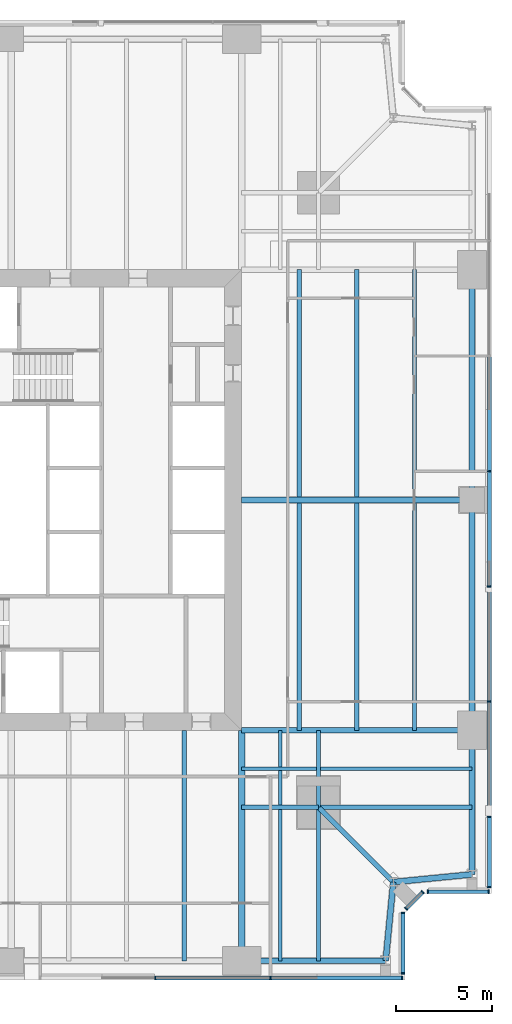
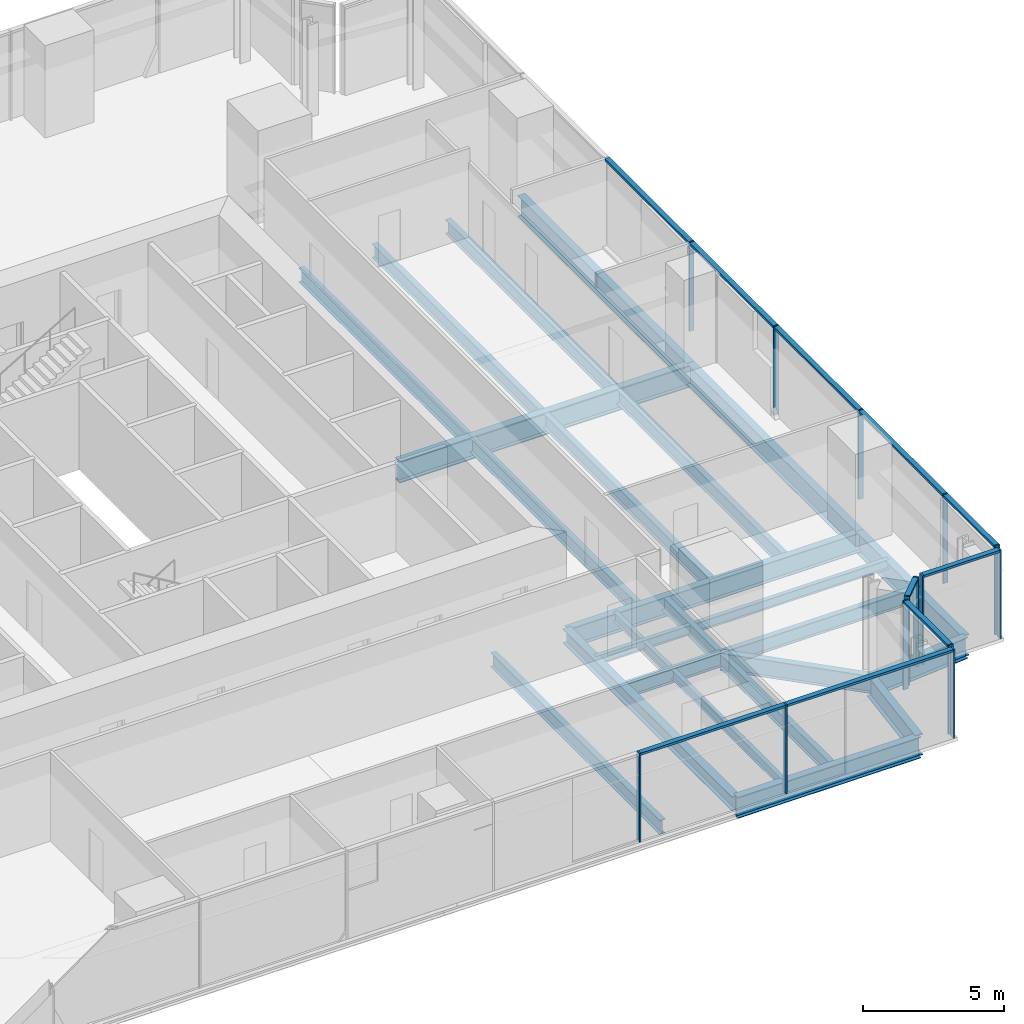
# One storey, part 5 of 13: 26 beams, 24 members, 5 elements without a shape of their own.
"""IFC4 building model written with IfcOpenShell, lengths in metres."""

from ifc_helpers import new_model, si_unit, direction, frame, origin, origin_2d, place, context, subcontext, project, spatial, rectangle, i_section, extrude, material, material_profile, profile_set, type_object, element, aggregate, save


model = new_model("IFC4")

# Units and contexts
model_context = context("Model", 3, precision=1e-05, world=origin(), true_north=direction((0.0, 1.0)))
body_context = subcontext(model_context, "Body", "Model", "MODEL_VIEW")
ifc_project = project(units=[si_unit("LENGTHUNIT", "METRE"), si_unit("AREAUNIT", "SQUARE_METRE"), si_unit("VOLUMEUNIT", "CUBIC_METRE"), si_unit("PLANEANGLEUNIT", "RADIAN"), si_unit("MASSUNIT", "GRAM", prefix="KILO")], contexts=[model_context])

# Site, building, storey
site_placement = place(None, origin())
site = spatial("IfcSite", under=ifc_project, at=site_placement, CompositionType="ELEMENT")
building_placement = place(site_placement, origin())
building = spatial("IfcBuilding", under=site, at=building_placement, Name="Fenwick Lantern Interchange", CompositionType="ELEMENT")
storey_placement = place(building_placement, frame((0.0, 0.0, 142.39990234375)))
storey = spatial("IfcBuildingStorey", under=building, at=storey_placement, Name="L33", CompositionType="ELEMENT", Elevation=142.39990234375)

# Beams
ifc_material_1 = material(Name="Steel ASTM A992 Grade 50", Category="steel")
ifc_material_profile_1 = material_profile(ifc_material_1, i_section(OverallWidth=0.3046875, OverallDepth=0.911865234375, WebThickness=0.015869140625, FlangeThickness=0.02392578125, at=origin_2d()), Name="W36X150")
ifc_profile_set_1 = profile_set([ifc_material_profile_1], Name="Steel ASTM A992 Grade 50")
beam_type_1 = type_object("IfcBeamType", Name="EDGE BEAM W36X150", PredefinedType="SPANDREL", material=ifc_profile_set_1)
beam_1_placement = place(storey_placement, frame((37.0, 1.0, -0.605712890625), z_axis=(1.0, 0.0, 0.0), x_axis=(0.0, 1.0, 0.0)))
element("IfcBeam", 1, at=beam_1_placement, inside=storey, type_object=beam_type_1, Name="L33/FR/S/EB4", PredefinedType="SPANDREL", context=body_context, shape_type="SweptSolid", body=[
    extrude(i_section(OverallWidth=0.3046875, OverallDepth=0.911865234375, WebThickness=0.015869140625, FlangeThickness=0.02392578125, at=origin_2d()), origin(), (0.0, 0.0, 1.0), 7.5),
])
for number, where, z_axis, x_axis, name in (
    (2, (44.5, 1.0, -0.605712890625), (0.097074191287, 0.995277148028, 0.0), (-0.995277148028, 0.097074191287, 0.0), "L33/FR/S/EBR1"),
    (3, (44.89990234375, 5.10009765625, -0.605712890625), (0.995277148028, 0.097074191287, 0.0), (-0.097074191287, 0.995277148028, 0.0), "L33/FR/S/EBR2"),
):
    element("IfcBeam", number, at=place(storey_placement, frame(where, z_axis=z_axis, x_axis=x_axis)), inside=storey, type_object=beam_type_1, Name=name, PredefinedType="SPANDREL", context=body_context, shape_type="SweptSolid", body=[
        extrude(i_section(OverallWidth=0.3046875, OverallDepth=0.911865234375, WebThickness=0.015869140625, FlangeThickness=0.02392578125, at=origin_2d()), origin(), (0.0, 0.0, 1.0), 4.11962890625),
    ])
beam_2_placement = place(storey_placement, frame((49.0, 5.5, -0.605712890625), z_axis=(0.0, 1.0, 0.0), x_axis=(-1.0, 0.0, 0.0)))
element("IfcBeam", 4, at=beam_2_placement, inside=storey, type_object=beam_type_1, Name="L33/FR/E/EB1", PredefinedType="SPANDREL", context=body_context, shape_type="SweptSolid", body=[
    extrude(i_section(OverallWidth=0.3046875, OverallDepth=0.911865234375, WebThickness=0.015869140625, FlangeThickness=0.02392578125, at=origin_2d()), origin(), (0.0, 0.0, 1.0), 7.5),
])
for number, where, z_axis, x_axis, name in (
    (5, (49.0, 13.0, -0.605712890625), (0.0, 1.0, 0.0), (-1.0, 0.0, 0.0), "L33/FR/E/EB2"),
    (6, (49.0, 25.0, -0.605712890625), (0.0, 1.0, 0.0), (-1.0, 0.0, 0.0), "L33/FR/E/EB3"),
):
    element("IfcBeam", number, at=place(storey_placement, frame(where, z_axis=z_axis, x_axis=x_axis)), inside=storey, type_object=beam_type_1, Name=name, PredefinedType="SPANDREL", context=body_context, shape_type="SweptSolid", body=[
        extrude(i_section(OverallWidth=0.3046875, OverallDepth=0.911865234375, WebThickness=0.015869140625, FlangeThickness=0.02392578125, at=origin_2d()), origin(), (0.0, 0.0, 1.0), 12.0),
    ])
ifc_material_profile_2 = material_profile(ifc_material_1, i_section(OverallWidth=0.22900390625, OverallDepth=0.612060546875, WebThickness=0.011962890625, FlangeThickness=0.01953125, at=origin_2d()), Name="W24X84")
ifc_profile_set_2 = profile_set([ifc_material_profile_2], Name="Steel ASTM A992 Grade 50")
beam_type_2 = type_object("IfcBeamType", Name="FLOOR BEAM W24X84", PredefinedType="BEAM", material=ifc_profile_set_2)
beam_3_placement = place(storey_placement, frame((34.0, 1.0, -0.4560546875), z_axis=(0.0, 1.0, 0.0), x_axis=(-1.0, 0.0, 0.0)))
element("IfcBeam", 7, at=beam_3_placement, inside=storey, type_object=beam_type_2, Name="L33/FR/S/R08", PredefinedType="BEAM", context=body_context, shape_type="SweptSolid", body=[
    extrude(i_section(OverallWidth=0.22900390625, OverallDepth=0.612060546875, WebThickness=0.011962890625, FlangeThickness=0.01953125, at=origin_2d()), origin(), (0.0, 0.0, 1.0), 12.0),
])
for number, where, z_axis, x_axis, name in (
    (8, (46.0, 13.0, -0.4560546875), (0.0, 1.0, 0.0), (-1.0, 0.0, 0.0), "L33/FR/E/B01"),
    (9, (43.0, 13.0, -0.4560546875), (0.0, 1.0, 0.0), (-1.0, 0.0, 0.0), "L33/FR/E/B02"),
    (10, (40.0, 13.0, -0.4560546875), (0.0, 1.0, 0.0), (-1.0, 0.0, 0.0), "L33/FR/E/B03"),
    (11, (46.0, 25.155029296875, -0.4560546875), (0.0, 1.0, 0.0), (-1.0, 0.0, 0.0), "L33/FR/E/B04"),
    (12, (43.0, 25.155029296875, -0.4560546875), (0.0, 1.0, 0.0), (-1.0, 0.0, 0.0), "L33/FR/E/B05"),
    (13, (40.0, 25.155029296875, -0.4560546875), (0.0, 1.0, 0.0), (-1.0, 0.0, 0.0), "L33/FR/E/B06"),
):
    element("IfcBeam", number, at=place(storey_placement, frame(where, z_axis=z_axis, x_axis=x_axis)), inside=storey, type_object=beam_type_2, Name=name, PredefinedType="BEAM", context=body_context, shape_type="SweptSolid", body=[
        extrude(i_section(OverallWidth=0.22900390625, OverallDepth=0.612060546875, WebThickness=0.011962890625, FlangeThickness=0.01953125, at=origin_2d()), origin(), (0.0, 0.0, 1.0), 11.844970703125),
    ])
ifc_material_profile_3 = material_profile(ifc_material_1, i_section(OverallWidth=0.177734375, OverallDepth=0.406494140625, WebThickness=0.0078125, FlangeThickness=0.012939453125, at=origin_2d()), Name="W16X40")
ifc_profile_set_3 = profile_set([ifc_material_profile_3], Name="Steel ASTM A992 Grade 50")
beam_type_3 = type_object("IfcBeamType", Name="INFILL BEAM W16X40", PredefinedType="JOIST", material=ifc_profile_set_3)
beam_4_placement = place(storey_placement, frame((49.0, 11.0, -0.35302734375), z_axis=(-1.0, 0.0, 0.0), x_axis=(0.0, -1.0, 0.0)))
element("IfcBeam", 14, at=beam_4_placement, inside=storey, type_object=beam_type_3, Name="L33/FR/E/J1", PredefinedType="JOIST", context=body_context, shape_type="SweptSolid", body=[
    extrude(i_section(OverallWidth=0.177734375, OverallDepth=0.406494140625, WebThickness=0.0078125, FlangeThickness=0.012939453125, at=origin_2d()), origin(), (0.0, 0.0, 1.0), 7.885498046875),
])
beam_5_placement = place(storey_placement, frame((40.885498046875, 11.0, -0.35302734375), z_axis=(-1.0, 0.0, 0.0), x_axis=(0.0, -1.0, 0.0)))
element("IfcBeam", 15, at=beam_5_placement, inside=storey, type_object=beam_type_3, Name="L33/FR/E/J2", PredefinedType="JOIST", context=body_context, shape_type="SweptSolid", body=[
    extrude(i_section(OverallWidth=0.177734375, OverallDepth=0.406494140625, WebThickness=0.0078125, FlangeThickness=0.012939453125, at=origin_2d()), origin(), (0.0, 0.0, 1.0), 3.885498046875),
])
beam_6_placement = place(storey_placement, frame((39.0, 1.0, -0.35302734375), z_axis=(0.0, 1.0, 0.0), x_axis=(-1.0, 0.0, 0.0)))
element("IfcBeam", 16, at=beam_6_placement, inside=storey, type_object=beam_type_3, Name="L33/FR/E/J3", PredefinedType="JOIST", context=body_context, shape_type="SweptSolid", body=[
    extrude(i_section(OverallWidth=0.177734375, OverallDepth=0.406494140625, WebThickness=0.0078125, FlangeThickness=0.012939453125, at=origin_2d()), origin(), (0.0, 0.0, 1.0), 7.885498046875),
])
beam_7_placement = place(storey_placement, frame((39.0, 9.114501953125, -0.35302734375), z_axis=(0.0, 1.0, 0.0), x_axis=(-1.0, 0.0, 0.0)))
element("IfcBeam", 17, at=beam_7_placement, inside=storey, type_object=beam_type_3, Name="L33/FR/E/J4", PredefinedType="JOIST", context=body_context, shape_type="SweptSolid", body=[
    extrude(i_section(OverallWidth=0.177734375, OverallDepth=0.406494140625, WebThickness=0.0078125, FlangeThickness=0.012939453125, at=origin_2d()), origin(), (0.0, 0.0, 1.0), 1.796630859375),
])
beam_8_placement = place(storey_placement, frame((39.0, 11.0888671875, -0.35302734375), z_axis=(0.0, 1.0, 0.0), x_axis=(-1.0, 0.0, 0.0)))
element("IfcBeam", 18, at=beam_8_placement, inside=storey, type_object=beam_type_3, Name="L33/FR/E/J5", PredefinedType="JOIST", context=body_context, shape_type="SweptSolid", body=[
    extrude(i_section(OverallWidth=0.177734375, OverallDepth=0.406494140625, WebThickness=0.0078125, FlangeThickness=0.012939453125, at=origin_2d()), origin(), (0.0, 0.0, 1.0), 1.9111328125),
])
ifc_material_profile_4 = material_profile(ifc_material_1, i_section(OverallWidth=0.22900390625, OverallDepth=0.612060546875, WebThickness=0.011962890625, FlangeThickness=0.01953125, at=origin_2d()), Name="W24X84")
ifc_profile_set_4 = profile_set([ifc_material_profile_4], Name="Steel ASTM A992 Grade 50")
beam_type_4 = type_object("IfcBeamType", Name="MEGA COLUMN BEAM W24X84", PredefinedType="BEAM", material=ifc_profile_set_4)
for number, where, z_axis, x_axis, name in (
    (19, (41.0, 9.0, -0.4560546875), (1.0, 0.0, 0.0), (0.0, 1.0, 0.0), "L33/FR/E/MB1"),
    (20, (41.0, 9.0, -0.4560546875), (0.0, -1.0, 0.0), (1.0, 0.0, 0.0), "L33/FR/E/MB2"),
):
    element("IfcBeam", number, at=place(storey_placement, frame(where, z_axis=z_axis, x_axis=x_axis)), inside=storey, type_object=beam_type_4, Name=name, PredefinedType="BEAM", context=body_context, shape_type="SweptSolid", body=[
        extrude(i_section(OverallWidth=0.22900390625, OverallDepth=0.612060546875, WebThickness=0.011962890625, FlangeThickness=0.01953125, at=origin_2d()), origin(), (0.0, 0.0, 1.0), 8.0),
    ])
for number, where, z_axis, x_axis, name in (
    (21, (41.0, 9.0, -0.4560546875), (0.0, 1.0, 0.0), (-1.0, 0.0, 0.0), "L33/FR/E/MB3"),
    (22, (41.0, 9.0, -0.4560546875), (-1.0, 0.0, 0.0), (0.0, -1.0, 0.0), "L33/FR/E/MB4"),
):
    element("IfcBeam", number, at=place(storey_placement, frame(where, z_axis=z_axis, x_axis=x_axis)), inside=storey, type_object=beam_type_4, Name=name, PredefinedType="BEAM", context=body_context, shape_type="SweptSolid", body=[
        extrude(i_section(OverallWidth=0.22900390625, OverallDepth=0.612060546875, WebThickness=0.011962890625, FlangeThickness=0.01953125, at=origin_2d()), origin(), (0.0, 0.0, 1.0), 4.0),
    ])
ifc_material_profile_5 = material_profile(ifc_material_1, i_section(OverallWidth=0.32763671875, OverallDepth=0.622314453125, WebThickness=0.015380859375, FlangeThickness=0.0244140625, at=origin_2d()), Name="W24X131")
ifc_profile_set_5 = profile_set([ifc_material_profile_5], Name="Steel ASTM A992 Grade 50")
beam_type_5 = type_object("IfcBeamType", Name="MOMENT-CONNECTED GIRDER W24X131", PredefinedType="BEAM", material=ifc_profile_set_5)
beam_9_placement = place(storey_placement, frame((37.0, 1.0, -0.4609375), z_axis=(0.0, 1.0, 0.0), x_axis=(-1.0, 0.0, 0.0)))
element("IfcBeam", 23, at=beam_9_placement, inside=storey, type_object=beam_type_5, Name="L33/FR/S/R09", PredefinedType="BEAM", context=body_context, shape_type="SweptSolid", body=[
    extrude(i_section(OverallWidth=0.32763671875, OverallDepth=0.622314453125, WebThickness=0.015380859375, FlangeThickness=0.0244140625, at=origin_2d()), origin(), (0.0, 0.0, 1.0), 12.0),
])
ifc_material_profile_6 = material_profile(ifc_material_1, i_section(OverallWidth=0.2919921875, OverallDepth=0.845703125, WebThickness=0.015380859375, FlangeThickness=0.0244140625, at=origin_2d()), Name="W33X141")
ifc_profile_set_6 = profile_set([ifc_material_profile_6], Name="Steel ASTM A992 Grade 50")
beam_type_6 = type_object("IfcBeamType", Name="MOMENT-CONNECTED GIRDER W33X141", PredefinedType="BEAM", material=ifc_profile_set_6)
beam_10_placement = place(storey_placement, frame((49.0, 13.0, -0.57275390625), z_axis=(-1.0, 0.0, 0.0), x_axis=(0.0, -1.0, 0.0)))
element("IfcBeam", 24, at=beam_10_placement, inside=storey, type_object=beam_type_6, Name="L33/FR/E/R01", PredefinedType="BEAM", context=body_context, shape_type="SweptSolid", body=[
    extrude(i_section(OverallWidth=0.2919921875, OverallDepth=0.845703125, WebThickness=0.015380859375, FlangeThickness=0.0244140625, at=origin_2d()), origin(), (0.0, 0.0, 1.0), 12.0),
])
ifc_material_profile_7 = material_profile(ifc_material_1, i_section(OverallWidth=0.309814453125, OverallDepth=0.949951171875, WebThickness=0.0244140625, FlangeThickness=0.0439453125, at=origin_2d()), Name="W36X256")
ifc_profile_set_7 = profile_set([ifc_material_profile_7], Name="Steel ASTM A992 Grade 50")
beam_type_7 = type_object("IfcBeamType", Name="MOMENT-CONNECTED GIRDER W36X256", PredefinedType="BEAM", material=ifc_profile_set_7)
beam_11_placement = place(storey_placement, frame((49.0, 25.0, -0.625), z_axis=(-1.0, 0.0, 0.0), x_axis=(0.0, -1.0, 0.0)))
element("IfcBeam", 25, at=beam_11_placement, inside=storey, type_object=beam_type_7, Name="L33/FR/E/R02", PredefinedType="BEAM", context=body_context, shape_type="SweptSolid", body=[
    extrude(i_section(OverallWidth=0.309814453125, OverallDepth=0.949951171875, WebThickness=0.0244140625, FlangeThickness=0.0439453125, at=origin_2d()), origin(), (0.0, 0.0, 1.0), 12.0),
])
ifc_material_profile_8 = material_profile(ifc_material_1, i_section(OverallWidth=0.2666015625, OverallDepth=0.7568359375, WebThickness=0.013916015625, FlangeThickness=0.019287109375, at=origin_2d()), Name="W30X108")
ifc_profile_set_8 = profile_set([ifc_material_profile_8], Name="Steel ASTM A992 Grade 50")
beam_type_8 = type_object("IfcBeamType", Name="NOTCH BEAM W30X108", PredefinedType="BEAM", material=ifc_profile_set_8)
beam_12_placement = place(storey_placement, frame((41.0, 9.0, -0.5283203125), z_axis=(0.707106781187, -0.707106781187, 0.0), x_axis=(0.707106781187, 0.707106781187, 0.0)))
element("IfcBeam", 26, at=beam_12_placement, inside=storey, type_object=beam_type_8, Name="L33/FR/E/TG", PredefinedType="BEAM", context=body_context, shape_type="SweptSolid", body=[
    extrude(i_section(OverallWidth=0.2666015625, OverallDepth=0.7568359375, WebThickness=0.013916015625, FlangeThickness=0.019287109375, at=origin_2d()), origin(), (0.0, 0.0, 1.0), 5.515380859375),
])

# Curtain wall, members
ifc_material_2 = material(Name="Aluminium curtain wall frame", Category="aluminium")
curtain_wall_type = type_object("IfcCurtainWallType", Name="OFFICE CURTAIN WALL", PredefinedType="USERDEFINED", material=ifc_material_2)
curtain_wall_1_placement = place(storey_placement, origin())
curtain_wall_1 = element("IfcCurtainWall", 27, at=curtain_wall_1_placement, inside=storey, type_object=curtain_wall_type, Name="Office curtain wall 01", ObjectType="OFFICE CURTAIN WALL", PredefinedType="USERDEFINED")
ifc_material_3 = material(Name="Aluminium extrusion", Category="aluminium")
ifc_material_profile_9 = material_profile(ifc_material_3, rectangle(XDim=0.199951171875, YDim=0.06494140625, at=origin_2d()), Name="OFFICE CURTAIN WALL MULLION 65 X 200")
ifc_profile_set_9 = profile_set([ifc_material_profile_9], Name="Aluminium extrusion")
member_type_1 = type_object("IfcMemberType", Name="OFFICE CURTAIN WALL MULLION 65 X 200", PredefinedType="MULLION", material=ifc_profile_set_9)
member_1_placement = place(storey_placement, frame((32.5, 0.10009765625, 0.0), z_axis=(0.0, 0.0, 1.0), x_axis=(0.0, 1.0, 0.0)))
member_1 = element("IfcMember", 28, at=member_1_placement, type_object=member_type_1, Name="L33/CW/01/M05", PredefinedType="MULLION", context=body_context, shape_type="SweptSolid", body=[
    extrude(rectangle(XDim=0.199951171875, YDim=0.06494140625, at=origin_2d()), origin(), (0.0, 0.0, 1.0), 3.85009765625),
])
member_2_placement = place(storey_placement, frame((38.5, 0.10009765625, 0.0), z_axis=(0.0, 0.0, 1.0), x_axis=(0.0, 1.0, 0.0)))
member_2 = element("IfcMember", 29, at=member_2_placement, type_object=member_type_1, Name="L33/CW/01/M06", PredefinedType="MULLION", context=body_context, shape_type="SweptSolid", body=[
    extrude(rectangle(XDim=0.199951171875, YDim=0.06494140625, at=origin_2d()), origin(), (0.0, 0.0, 1.0), 3.85009765625),
])
member_3_placement = place(storey_placement, frame((45.367431640625, 0.10009765625, 0.0), z_axis=(0.0, 0.0, 1.0), x_axis=(0.0, 1.0, 0.0)))
member_3 = element("IfcMember", 30, at=member_3_placement, type_object=member_type_1, Name="L33/CW/01/M07", PredefinedType="MULLION", context=body_context, shape_type="SweptSolid", body=[
    extrude(rectangle(XDim=0.199951171875, YDim=0.06494140625, at=origin_2d()), origin(), (0.0, 0.0, 1.0), 3.85009765625),
])

curtain_wall_2_placement = place(storey_placement, origin())
curtain_wall_2 = element("IfcCurtainWall", 31, at=curtain_wall_2_placement, inside=storey, type_object=curtain_wall_type, Name="Office curtain wall 02", ObjectType="OFFICE CURTAIN WALL", PredefinedType="USERDEFINED")
member_4_placement = place(storey_placement, frame((45.39990234375, 0.33251953125, 0.0), z_axis=(0.0, 0.0, 1.0), x_axis=(-1.0, 0.0, 0.0)))
member_4 = element("IfcMember", 32, at=member_4_placement, type_object=member_type_1, Name="L33/CW/02/M00", PredefinedType="MULLION", context=body_context, shape_type="SweptSolid", body=[
    extrude(rectangle(XDim=0.199951171875, YDim=0.06494140625, at=origin_2d()), origin(), (0.0, 0.0, 1.0), 3.85009765625),
])
member_5_placement = place(storey_placement, frame((45.39990234375, 3.509033203125, 0.0), z_axis=(0.0, 0.0, 1.0), x_axis=(-1.0, 0.0, 0.0)))
member_5 = element("IfcMember", 33, at=member_5_placement, type_object=member_type_1, Name="L33/CW/02/M01", PredefinedType="MULLION", context=body_context, shape_type="SweptSolid", body=[
    extrude(rectangle(XDim=0.199951171875, YDim=0.06494140625, at=origin_2d()), origin(), (0.0, 0.0, 1.0), 3.85009765625),
])

curtain_wall_3_placement = place(storey_placement, origin())
curtain_wall_3 = element("IfcCurtainWall", 34, at=curtain_wall_3_placement, inside=storey, type_object=curtain_wall_type, Name="Office curtain wall 03", ObjectType="OFFICE CURTAIN WALL", PredefinedType="USERDEFINED")
member_6_placement = place(storey_placement, frame((45.564453125, 3.705810546875, 0.0), z_axis=(0.0, 0.0, 1.0), x_axis=(-0.707106781187, 0.707106781187, 0.0)))
member_6 = element("IfcMember", 35, at=member_6_placement, type_object=member_type_1, Name="L33/CW/03/M00", PredefinedType="MULLION", context=body_context, shape_type="SweptSolid", body=[
    extrude(rectangle(XDim=0.199951171875, YDim=0.06494140625, at=origin_2d()), origin(), (0.0, 0.0, 1.0), 3.85009765625),
])
member_7_placement = place(storey_placement, frame((46.435546875, 4.576904296875, 0.0), z_axis=(0.0, 0.0, 1.0), x_axis=(-0.707106781187, 0.707106781187, 0.0)))
member_7 = element("IfcMember", 36, at=member_7_placement, type_object=member_type_1, Name="L33/CW/03/M01", PredefinedType="MULLION", context=body_context, shape_type="SweptSolid", body=[
    extrude(rectangle(XDim=0.199951171875, YDim=0.06494140625, at=origin_2d()), origin(), (0.0, 0.0, 1.0), 3.85009765625),
])

curtain_wall_4_placement = place(storey_placement, origin())
curtain_wall_4 = element("IfcCurtainWall", 37, at=curtain_wall_4_placement, inside=storey, type_object=curtain_wall_type, Name="Office curtain wall 04", ObjectType="OFFICE CURTAIN WALL", PredefinedType="USERDEFINED")
member_8_placement = place(storey_placement, frame((46.691162109375, 4.60009765625, 0.0), z_axis=(0.0, 0.0, 1.0), x_axis=(0.0, 1.0, 0.0)))
member_8 = element("IfcMember", 38, at=member_8_placement, type_object=member_type_1, Name="L33/CW/04/M00", PredefinedType="MULLION", context=body_context, shape_type="SweptSolid", body=[
    extrude(rectangle(XDim=0.199951171875, YDim=0.06494140625, at=origin_2d()), origin(), (0.0, 0.0, 1.0), 3.85009765625),
])
member_9_placement = place(storey_placement, frame((49.867431640625, 4.60009765625, 0.0), z_axis=(0.0, 0.0, 1.0), x_axis=(0.0, 1.0, 0.0)))
member_9 = element("IfcMember", 39, at=member_9_placement, type_object=member_type_1, Name="L33/CW/04/M01", PredefinedType="MULLION", context=body_context, shape_type="SweptSolid", body=[
    extrude(rectangle(XDim=0.199951171875, YDim=0.06494140625, at=origin_2d()), origin(), (0.0, 0.0, 1.0), 3.85009765625),
])

curtain_wall_5_placement = place(storey_placement, origin())
curtain_wall_5 = element("IfcCurtainWall", 40, at=curtain_wall_5_placement, inside=storey, type_object=curtain_wall_type, Name="Office curtain wall 05", ObjectType="OFFICE CURTAIN WALL", PredefinedType="USERDEFINED")
member_10_placement = place(storey_placement, frame((49.89990234375, 4.83251953125, 0.0), z_axis=(0.0, 0.0, 1.0), x_axis=(-1.0, 0.0, 0.0)))
member_10 = element("IfcMember", 41, at=member_10_placement, type_object=member_type_1, Name="L33/CW/05/M00", PredefinedType="MULLION", context=body_context, shape_type="SweptSolid", body=[
    extrude(rectangle(XDim=0.199951171875, YDim=0.06494140625, at=origin_2d()), origin(), (0.0, 0.0, 1.0), 3.85009765625),
])
member_11_placement = place(storey_placement, frame((49.89990234375, 8.5, 0.0), z_axis=(0.0, 0.0, 1.0), x_axis=(-1.0, 0.0, 0.0)))
member_11 = element("IfcMember", 42, at=member_11_placement, type_object=member_type_1, Name="L33/CW/05/M01", PredefinedType="MULLION", context=body_context, shape_type="SweptSolid", body=[
    extrude(rectangle(XDim=0.199951171875, YDim=0.06494140625, at=origin_2d()), origin(), (0.0, 0.0, 1.0), 3.85009765625),
])
member_12_placement = place(storey_placement, frame((49.89990234375, 14.5, 0.0), z_axis=(0.0, 0.0, 1.0), x_axis=(-1.0, 0.0, 0.0)))
member_12 = element("IfcMember", 43, at=member_12_placement, type_object=member_type_1, Name="L33/CW/05/M02", PredefinedType="MULLION", context=body_context, shape_type="SweptSolid", body=[
    extrude(rectangle(XDim=0.199951171875, YDim=0.06494140625, at=origin_2d()), origin(), (0.0, 0.0, 1.0), 3.85009765625),
])
member_13_placement = place(storey_placement, frame((49.89990234375, 20.5, 0.0), z_axis=(0.0, 0.0, 1.0), x_axis=(-1.0, 0.0, 0.0)))
member_13 = element("IfcMember", 44, at=member_13_placement, type_object=member_type_1, Name="L33/CW/05/M03", PredefinedType="MULLION", context=body_context, shape_type="SweptSolid", body=[
    extrude(rectangle(XDim=0.199951171875, YDim=0.06494140625, at=origin_2d()), origin(), (0.0, 0.0, 1.0), 3.85009765625),
])
member_14_placement = place(storey_placement, frame((49.89990234375, 26.5, 0.0), z_axis=(0.0, 0.0, 1.0), x_axis=(-1.0, 0.0, 0.0)))
member_14 = element("IfcMember", 45, at=member_14_placement, type_object=member_type_1, Name="L33/CW/05/M04", PredefinedType="MULLION", context=body_context, shape_type="SweptSolid", body=[
    extrude(rectangle(XDim=0.199951171875, YDim=0.06494140625, at=origin_2d()), origin(), (0.0, 0.0, 1.0), 3.85009765625),
])

# Member
ifc_material_profile_10 = material_profile(ifc_material_3, rectangle(XDim=0.199951171875, YDim=0.10009765625, at=origin_2d()), Name="OFFICE CURTAIN WALL TRANSOM 100 X 200")
ifc_profile_set_10 = profile_set([ifc_material_profile_10], Name="Aluminium extrusion")
member_type_2 = type_object("IfcMemberType", Name="OFFICE CURTAIN WALL TRANSOM 100 X 200", PredefinedType="MULLION", material=ifc_profile_set_10)
member_15_placement = place(storey_placement, frame((32.532470703125, 0.10009765625, 3.800048828125), z_axis=(1.0, 0.0, 0.0), x_axis=(0.0, 1.0, 0.0)))
member_15 = element("IfcMember", 46, at=member_15_placement, type_object=member_type_2, Name="L33/CW/01/T05", PredefinedType="MULLION", context=body_context, shape_type="SweptSolid", body=[
    extrude(rectangle(XDim=0.199951171875, YDim=0.10009765625, at=origin_2d()), origin(), (0.0, 0.0, 1.0), 5.93505859375),
])

member_16_placement = place(storey_placement, frame((38.532470703125, 0.10009765625, 3.800048828125), z_axis=(1.0, 0.0, 0.0), x_axis=(0.0, 1.0, 0.0)))
member_16 = element("IfcMember", 47, at=member_16_placement, type_object=member_type_2, Name="L33/CW/01/T06", PredefinedType="MULLION", context=body_context, shape_type="SweptSolid", body=[
    extrude(rectangle(XDim=0.199951171875, YDim=0.10009765625, at=origin_2d()), origin(), (0.0, 0.0, 1.0), 6.802490234375),
])

aggregate(curtain_wall_1, [member_1, member_2, member_3, member_15, member_16])

member_17_placement = place(storey_placement, frame((45.39990234375, 0.364990234375, 3.800048828125), z_axis=(0.0, 1.0, 0.0), x_axis=(-1.0, 0.0, 0.0)))
member_17 = element("IfcMember", 48, at=member_17_placement, type_object=member_type_2, Name="L33/CW/02/T00", PredefinedType="MULLION", context=body_context, shape_type="SweptSolid", body=[
    extrude(rectangle(XDim=0.199951171875, YDim=0.10009765625, at=origin_2d()), origin(), (0.0, 0.0, 1.0), 3.111328125),
])

aggregate(curtain_wall_2, [member_4, member_5, member_17])

member_18_placement = place(storey_placement, frame((45.58740234375, 3.728759765625, 3.800048828125), z_axis=(0.707106781187, 0.707106781187, 0.0), x_axis=(-0.707106781187, 0.707106781187, 0.0)))
member_18 = element("IfcMember", 49, at=member_18_placement, type_object=member_type_2, Name="L33/CW/03/T00", PredefinedType="MULLION", context=body_context, shape_type="SweptSolid", body=[
    extrude(rectangle(XDim=0.199951171875, YDim=0.10009765625, at=origin_2d()), origin(), (0.0, 0.0, 1.0), 1.1669921875),
])

aggregate(curtain_wall_3, [member_6, member_7, member_18])

member_19_placement = place(storey_placement, frame((46.7236328125, 4.60009765625, 3.800048828125), z_axis=(1.0, 0.0, 0.0), x_axis=(0.0, 1.0, 0.0)))
member_19 = element("IfcMember", 50, at=member_19_placement, type_object=member_type_2, Name="L33/CW/04/T00", PredefinedType="MULLION", context=body_context, shape_type="SweptSolid", body=[
    extrude(rectangle(XDim=0.199951171875, YDim=0.10009765625, at=origin_2d()), origin(), (0.0, 0.0, 1.0), 3.111328125),
])

aggregate(curtain_wall_4, [member_8, member_9, member_19])

member_20_placement = place(storey_placement, frame((49.89990234375, 4.864990234375, 3.800048828125), z_axis=(0.0, 1.0, 0.0), x_axis=(-1.0, 0.0, 0.0)))
member_20 = element("IfcMember", 51, at=member_20_placement, type_object=member_type_2, Name="L33/CW/05/T00", PredefinedType="MULLION", context=body_context, shape_type="SweptSolid", body=[
    extrude(rectangle(XDim=0.199951171875, YDim=0.10009765625, at=origin_2d()), origin(), (0.0, 0.0, 1.0), 3.6025390625),
])

member_21_placement = place(storey_placement, frame((49.89990234375, 8.532470703125, 3.800048828125), z_axis=(0.0, 1.0, 0.0), x_axis=(-1.0, 0.0, 0.0)))
member_21 = element("IfcMember", 52, at=member_21_placement, type_object=member_type_2, Name="L33/CW/05/T01", PredefinedType="MULLION", context=body_context, shape_type="SweptSolid", body=[
    extrude(rectangle(XDim=0.199951171875, YDim=0.10009765625, at=origin_2d()), origin(), (0.0, 0.0, 1.0), 5.93505859375),
])

member_22_placement = place(storey_placement, frame((49.89990234375, 14.532470703125, 3.800048828125), z_axis=(0.0, 1.0, 0.0), x_axis=(-1.0, 0.0, 0.0)))
member_22 = element("IfcMember", 53, at=member_22_placement, type_object=member_type_2, Name="L33/CW/05/T02", PredefinedType="MULLION", context=body_context, shape_type="SweptSolid", body=[
    extrude(rectangle(XDim=0.199951171875, YDim=0.10009765625, at=origin_2d()), origin(), (0.0, 0.0, 1.0), 5.93505859375),
])

member_23_placement = place(storey_placement, frame((49.89990234375, 20.532470703125, 3.800048828125), z_axis=(0.0, 1.0, 0.0), x_axis=(-1.0, 0.0, 0.0)))
member_23 = element("IfcMember", 54, at=member_23_placement, type_object=member_type_2, Name="L33/CW/05/T03", PredefinedType="MULLION", context=body_context, shape_type="SweptSolid", body=[
    extrude(rectangle(XDim=0.199951171875, YDim=0.10009765625, at=origin_2d()), origin(), (0.0, 0.0, 1.0), 5.93505859375),
])

member_24_placement = place(storey_placement, frame((49.89990234375, 26.532470703125, 3.800048828125), z_axis=(0.0, 1.0, 0.0), x_axis=(-1.0, 0.0, 0.0)))
member_24 = element("IfcMember", 55, at=member_24_placement, type_object=member_type_2, Name="L33/CW/05/T04", PredefinedType="MULLION", context=body_context, shape_type="SweptSolid", body=[
    extrude(rectangle(XDim=0.199951171875, YDim=0.10009765625, at=origin_2d()), origin(), (0.0, 0.0, 1.0), 5.93505859375),
])

aggregate(curtain_wall_5, [member_10, member_11, member_12, member_13, member_14, member_20, member_21, member_22, member_23, member_24])

save(model, "model.ifc")
